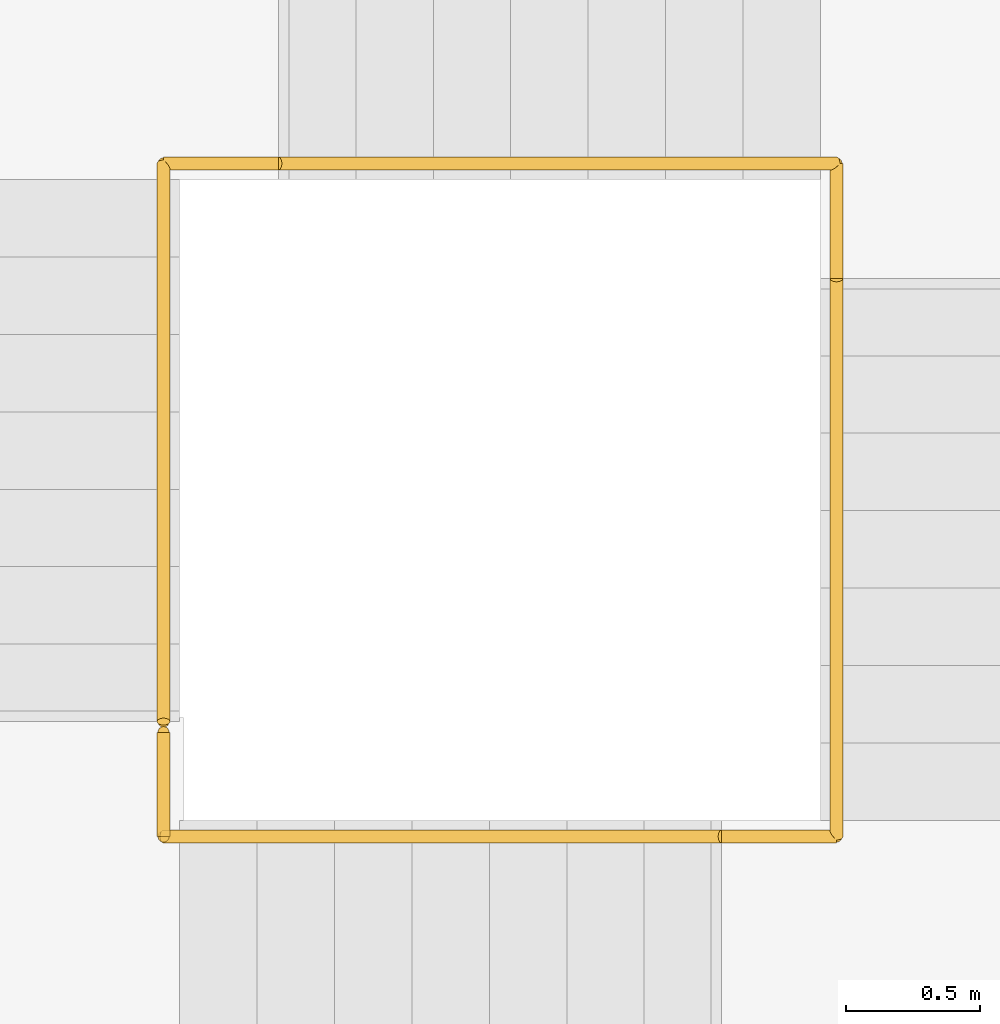
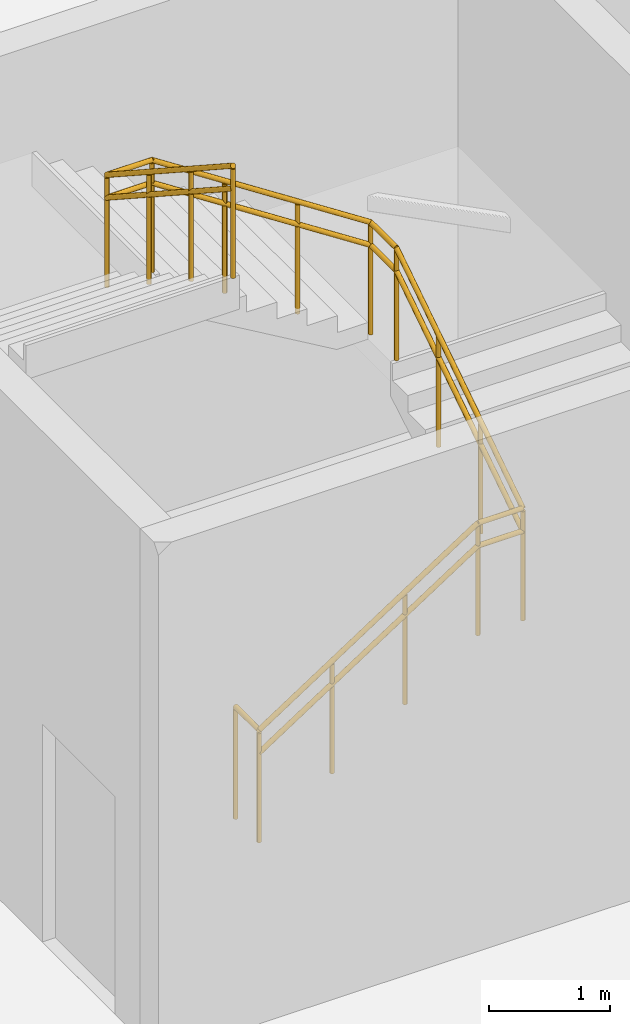
# One storey, part 72 of 72: 3 railings.
"""IFC4 building model written with IfcOpenShell, lengths in metres."""

from ifc_helpers import new_model, si_unit, direction, frame, origin, origin_2d, place, context, subcontext, project, spatial, circle, extrude, material, type_object, element, save


model = new_model("IFC4")

# Units and contexts
model_context = context("Model", 3, precision=1e-05, world=origin(), true_north=direction((0.0, 1.0)))
body_context = subcontext(model_context, "Body", "Model", "MODEL_VIEW")
ifc_project = project(units=[si_unit("LENGTHUNIT", "METRE"), si_unit("AREAUNIT", "SQUARE_METRE"), si_unit("VOLUMEUNIT", "CUBIC_METRE"), si_unit("PLANEANGLEUNIT", "RADIAN"), si_unit("MASSUNIT", "GRAM", prefix="KILO")], contexts=[model_context])

# Site, building, storey
site_placement = place(None, origin())
site = spatial("IfcSite", under=ifc_project, at=site_placement, CompositionType="ELEMENT")
building_placement = place(site_placement, origin())
building = spatial("IfcBuilding", under=site, at=building_placement, Name="Sillaruma Civic Art Gallery", CompositionType="ELEMENT")
storey_placement = place(building_placement, frame((0.0, 0.0, 10.8798828125)))
storey = spatial("IfcBuildingStorey", under=building, at=storey_placement, Name="L02", CompositionType="ELEMENT", Elevation=10.8798828125)

# Railings
ifc_material = material(Name="Stainless Steel AISI 316", Category="steel")
railing_type_1 = type_object("IfcRailingType", Name="RAL-BAL-1150", PredefinedType="BALUSTRADE", material=ifc_material)
railing_1_placement = place(storey_placement, frame((144.139892578125, 13.3798828125, 0.0)))
element("IfcRailing", 1, at=railing_1_placement, inside=storey, type_object=railing_type_1, Name="Stair Floor Edge Guard (ST-05:L02)", PredefinedType="BALUSTRADE", context=body_context, shape_type="SweptSolid", body=[
    extrude(circle(Radius=0.02392578125, at=origin_2d()), frame((0.0, 0.0, 1.1259765625), z_axis=(0.0, 1.0, 0.0), x_axis=(-1.0, 0.0, 0.0)), (0.0, 0.0, 1.0), 0.39013671875),
    extrude(circle(Radius=0.02099609375, at=origin_2d()), origin(), (0.0, 0.0, 1.0), 1.101806640625),
    extrude(circle(Radius=0.02099609375, at=origin_2d()), frame((0.0, 0.39013671875, 0.0)), (0.0, 0.0, 1.0), 1.101806640625),
])
railing_2_placement = place(storey_placement, frame((144.139892578125, 13.3798828125, 0.0)))
element("IfcRailing", 2, at=railing_2_placement, inside=storey, type_object=railing_type_1, Name="Stair Well Balustrade (ST-05-L02)", PredefinedType="BALUSTRADE", context=body_context, shape_type="SweptSolid", body=[
    extrude(circle(Radius=0.02392578125, at=origin_2d()), frame((0.0, 0.0, 1.1259765625), z_axis=(0.838159424827, 0.0, 0.545425318971), x_axis=(0.0, 1.0, 0.0)), (0.0, 0.0, 1.0), 2.49365234375),
    extrude(circle(Radius=0.02392578125, at=origin_2d()), frame((2.090087890625, 0.0, 2.48583984375), z_axis=(1.0, 0.0, 0.0), x_axis=(0.0, 1.0, 0.0)), (0.0, 0.0, 1.0), 0.429931640625),
    extrude(circle(Radius=0.02392578125, at=origin_2d()), frame((2.52001953125, 0.0, 2.48583984375), z_axis=(0.0, 0.838159424827, 0.545425318971), x_axis=(-1.0, 0.0, 0.0)), (0.0, 0.0, 1.0), 2.49365234375),
    extrude(circle(Radius=0.02392578125, at=origin_2d()), frame((2.52001953125, 2.090087890625, 3.84619140625), z_axis=(0.0, 1.0, 0.0), x_axis=(-1.0, 0.0, 0.0)), (0.0, 0.0, 1.0), 0.429931640625),
    extrude(circle(Radius=0.02392578125, at=origin_2d()), frame((2.52001953125, 2.52001953125, 3.84619140625), z_axis=(-0.838175058464, 0.0, 0.545401293883), x_axis=(0.0, -1.0, 0.0)), (0.0, 0.0, 1.0), 2.493408203125),
    extrude(circle(Radius=0.02392578125, at=origin_2d()), frame((0.43017578125, 2.52001953125, 5.2060546875), z_axis=(-1.0, 0.0, 0.0), x_axis=(0.0, -1.0, 0.0)), (0.0, 0.0, 1.0), 0.43017578125),
    extrude(circle(Radius=0.02392578125, at=origin_2d()), frame((0.0, 2.52001953125, 5.2060546875), z_axis=(0.0, -0.838130295786, 0.545470079185), x_axis=(1.0, 0.0, 0.0)), (0.0, 0.0, 1.0), 2.493408203125),
    extrude(circle(Radius=0.02099609375, at=origin_2d()), origin(), (0.0, 0.0, 1.0), 1.101806640625),
    extrude(circle(Radius=0.02099609375, at=origin_2d()), frame((0.69677734375, 0.0, 0.453369140625)), (0.0, 0.0, 1.0), 1.101806640625),
    extrude(circle(Radius=0.02099609375, at=origin_2d()), frame((1.393310546875, 0.0, 0.90673828125)), (0.0, 0.0, 1.0), 1.101806640625),
    extrude(circle(Radius=0.02099609375, at=origin_2d()), frame((2.090087890625, 0.0, 1.360107421875)), (0.0, 0.0, 1.0), 1.101806640625),
    extrude(circle(Radius=0.02099609375, at=origin_2d()), frame((2.52001953125, 0.0, 1.360107421875)), (0.0, 0.0, 1.0), 1.101806640625),
    extrude(circle(Radius=0.02099609375, at=origin_2d()), frame((2.52001953125, 0.69677734375, 1.8134765625)), (0.0, 0.0, 1.0), 1.101806640625),
    extrude(circle(Radius=0.02099609375, at=origin_2d()), frame((2.52001953125, 1.393310546875, 2.266845703125)), (0.0, 0.0, 1.0), 1.101806640625),
    extrude(circle(Radius=0.02099609375, at=origin_2d()), frame((2.52001953125, 2.090087890625, 2.72021484375)), (0.0, 0.0, 1.0), 1.101806640625),
    extrude(circle(Radius=0.02099609375, at=origin_2d()), frame((2.52001953125, 2.52001953125, 2.72021484375)), (0.0, 0.0, 1.0), 1.101806640625),
    extrude(circle(Radius=0.02099609375, at=origin_2d()), frame((1.823486328125, 2.52001953125, 3.173583984375)), (0.0, 0.0, 1.0), 1.101806640625),
    extrude(circle(Radius=0.02099609375, at=origin_2d()), frame((1.126708984375, 2.52001953125, 3.626708984375)), (0.0, 0.0, 1.0), 1.101806640625),
    extrude(circle(Radius=0.02099609375, at=origin_2d()), frame((0.43017578125, 2.52001953125, 4.080078125)), (0.0, 0.0, 1.0), 1.101806640625),
    extrude(circle(Radius=0.02099609375, at=origin_2d()), frame((0.0, 2.52001953125, 4.080078125)), (0.0, 0.0, 1.0), 1.101806640625),
    extrude(circle(Radius=0.02099609375, at=origin_2d()), frame((0.0, 1.823486328125, 4.533447265625)), (0.0, 0.0, 1.0), 1.101806640625),
    extrude(circle(Radius=0.02099609375, at=origin_2d()), frame((0.0, 1.126708984375, 4.98681640625)), (0.0, 0.0, 1.0), 1.101806640625),
    extrude(circle(Radius=0.02099609375, at=origin_2d()), frame((0.0, 0.43017578125, 5.440185546875)), (0.0, 0.0, 1.0), 1.101806640625),
])
railing_type_2 = type_object("IfcRailingType", Name="RAL-HND-920", PredefinedType="HANDRAIL", material=ifc_material)
railing_3_placement = place(storey_placement, frame((144.139892578125, 13.3798828125, 0.0)))
element("IfcRailing", 3, at=railing_3_placement, inside=storey, type_object=railing_type_2, Name="Stair Continuous Handrail (ST-05-L02)", PredefinedType="HANDRAIL", context=body_context, shape_type="SweptSolid", body=[
    extrude(circle(Radius=0.02392578125, at=origin_2d()), frame((0.0, 0.0, 0.89599609375), z_axis=(0.838159424827, 0.0, 0.545425318971), x_axis=(0.0, 1.0, 0.0)), (0.0, 0.0, 1.0), 2.49365234375),
    extrude(circle(Radius=0.02392578125, at=origin_2d()), frame((2.090087890625, 0.0, 2.255859375), z_axis=(1.0, 0.0, 0.0), x_axis=(0.0, 1.0, 0.0)), (0.0, 0.0, 1.0), 0.429931640625),
    extrude(circle(Radius=0.02392578125, at=origin_2d()), frame((2.52001953125, 0.0, 2.255859375), z_axis=(0.0, 0.838159424827, 0.545425318971), x_axis=(-1.0, 0.0, 0.0)), (0.0, 0.0, 1.0), 2.49365234375),
    extrude(circle(Radius=0.02392578125, at=origin_2d()), frame((2.52001953125, 2.090087890625, 3.6162109375), z_axis=(0.0, 1.0, 0.0), x_axis=(-1.0, 0.0, 0.0)), (0.0, 0.0, 1.0), 0.429931640625),
    extrude(circle(Radius=0.02392578125, at=origin_2d()), frame((2.52001953125, 2.52001953125, 3.6162109375), z_axis=(-0.838175058464, 0.0, 0.545401293883), x_axis=(0.0, -1.0, 0.0)), (0.0, 0.0, 1.0), 2.493408203125),
    extrude(circle(Radius=0.02392578125, at=origin_2d()), frame((0.43017578125, 2.52001953125, 4.97607421875), z_axis=(-1.0, 0.0, 0.0), x_axis=(0.0, -1.0, 0.0)), (0.0, 0.0, 1.0), 0.43017578125),
    extrude(circle(Radius=0.02392578125, at=origin_2d()), frame((0.0, 2.52001953125, 4.97607421875), z_axis=(0.0, -0.838130295786, 0.545470079185), x_axis=(1.0, 0.0, 0.0)), (0.0, 0.0, 1.0), 2.493408203125),
    extrude(circle(Radius=0.02099609375, at=origin_2d()), origin(), (0.0, 0.0, 1.0), 0.871826171875),
    extrude(circle(Radius=0.02099609375, at=origin_2d()), frame((0.69677734375, 0.0, 0.453369140625)), (0.0, 0.0, 1.0), 0.871826171875),
    extrude(circle(Radius=0.02099609375, at=origin_2d()), frame((1.393310546875, 0.0, 0.90673828125)), (0.0, 0.0, 1.0), 0.871826171875),
    extrude(circle(Radius=0.02099609375, at=origin_2d()), frame((2.090087890625, 0.0, 1.360107421875)), (0.0, 0.0, 1.0), 0.871826171875),
    extrude(circle(Radius=0.02099609375, at=origin_2d()), frame((2.52001953125, 0.0, 1.360107421875)), (0.0, 0.0, 1.0), 0.871826171875),
    extrude(circle(Radius=0.02099609375, at=origin_2d()), frame((2.52001953125, 0.69677734375, 1.8134765625)), (0.0, 0.0, 1.0), 0.871826171875),
    extrude(circle(Radius=0.02099609375, at=origin_2d()), frame((2.52001953125, 1.393310546875, 2.266845703125)), (0.0, 0.0, 1.0), 0.871826171875),
    extrude(circle(Radius=0.02099609375, at=origin_2d()), frame((2.52001953125, 2.090087890625, 2.72021484375)), (0.0, 0.0, 1.0), 0.871826171875),
    extrude(circle(Radius=0.02099609375, at=origin_2d()), frame((2.52001953125, 2.52001953125, 2.72021484375)), (0.0, 0.0, 1.0), 0.871826171875),
    extrude(circle(Radius=0.02099609375, at=origin_2d()), frame((1.823486328125, 2.52001953125, 3.173583984375)), (0.0, 0.0, 1.0), 0.871826171875),
    extrude(circle(Radius=0.02099609375, at=origin_2d()), frame((1.126708984375, 2.52001953125, 3.626708984375)), (0.0, 0.0, 1.0), 0.871826171875),
    extrude(circle(Radius=0.02099609375, at=origin_2d()), frame((0.43017578125, 2.52001953125, 4.080078125)), (0.0, 0.0, 1.0), 0.871826171875),
    extrude(circle(Radius=0.02099609375, at=origin_2d()), frame((0.0, 2.52001953125, 4.080078125)), (0.0, 0.0, 1.0), 0.871826171875),
    extrude(circle(Radius=0.02099609375, at=origin_2d()), frame((0.0, 1.823486328125, 4.533447265625)), (0.0, 0.0, 1.0), 0.871826171875),
    extrude(circle(Radius=0.02099609375, at=origin_2d()), frame((0.0, 1.126708984375, 4.98681640625)), (0.0, 0.0, 1.0), 0.871826171875),
    extrude(circle(Radius=0.02099609375, at=origin_2d()), frame((0.0, 0.43017578125, 5.440185546875)), (0.0, 0.0, 1.0), 0.871826171875),
])

save(model, "model.ifc")
